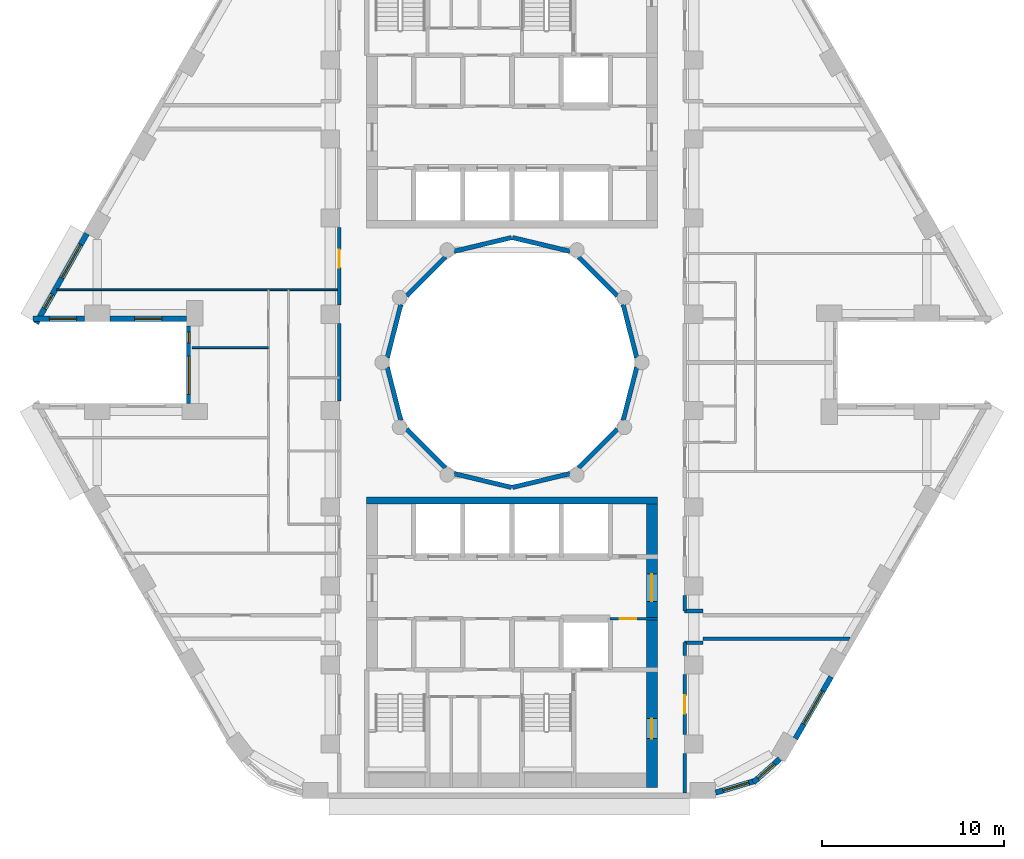
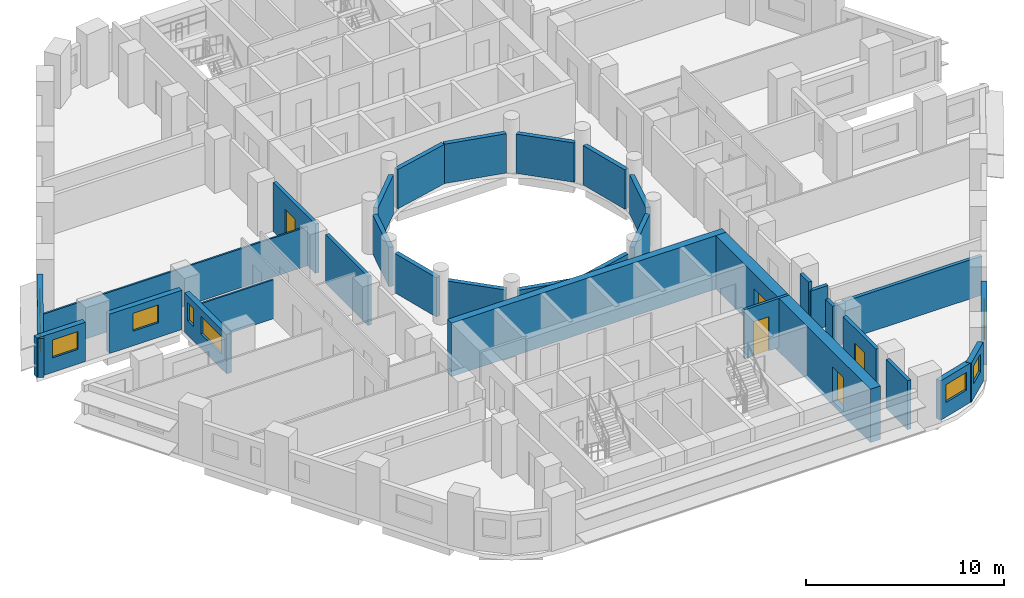
# One storey, part 5 of 12: 33 walls, 9 windows, 5 doors, 14 openings.
"""IFC4 building model written with IfcOpenShell, lengths in metres."""

from ifc_helpers import new_model, si_unit, direction, frame, frame_2d, origin, place, context, subcontext, project, spatial, rectangle, extrude, material, layer, layer_set, type_object, element, fill, save


model = new_model("IFC4")

# Units and contexts
model_context = context("Model", 3, precision=1e-05, world=origin(), true_north=direction((0.0, 1.0)))
body_context = subcontext(model_context, "Body", "Model", "MODEL_VIEW")
ifc_project = project(units=[si_unit("LENGTHUNIT", "METRE"), si_unit("AREAUNIT", "SQUARE_METRE"), si_unit("VOLUMEUNIT", "CUBIC_METRE"), si_unit("PLANEANGLEUNIT", "RADIAN"), si_unit("MASSUNIT", "GRAM", prefix="KILO")], contexts=[model_context])

# Site, building, storey
site_placement = place(None, origin())
site = spatial("IfcSite", under=ifc_project, at=site_placement, CompositionType="ELEMENT")
building_placement = place(site_placement, origin())
building = spatial("IfcBuilding", under=site, at=building_placement, Name="Nakaniwa Court", CompositionType="ELEMENT")
storey_placement = place(building_placement, frame((0.0, 0.0, 87.60009765625)))
storey = spatial("IfcBuildingStorey", under=building, at=storey_placement, Name="L22", CompositionType="ELEMENT", Elevation=87.60009765625)

# Wall
ifc_material_1 = material(Name="Acoustic double stud partition")
ifc_layer_1 = layer(ifc_material_1, 0.199951171875)
ifc_layer_set_1 = layer_set([ifc_layer_1], Name="Acoustic double stud partition")
wall_type_1 = type_object("IfcWallType", Name="Acoustic double stud partition 200", PredefinedType="PARTITIONING", material=ifc_layer_set_1)
wall_1_placement = place(storey_placement, frame((89.5, 56.300048828125, 0.0), z_axis=(0.0, 0.0, 1.0), x_axis=(0.0, 1.0, 0.0)))
element("IfcWall", 1, at=wall_1_placement, inside=storey, type_object=wall_type_1, Name="Partition PW-069", PredefinedType="PARTITIONING", context=body_context, shape_type="SweptSolid", body=[
    extrude(rectangle(XDim=2.182861328125, YDim=0.199951171875, at=frame_2d((1.09130859375, 0.0))), origin(), (0.0, 0.0, 1.0), 3.02490234375),
])

# Wall, opening, door
wall_2_placement = place(storey_placement, frame((89.5, 62.8330078125, 0.0), z_axis=(0.0, 0.0, 1.0), x_axis=(0.0, -1.0, 0.0)))
wall_2 = element("IfcWall", 2, at=wall_2_placement, inside=storey, type_object=wall_type_1, Name="Partition PW-070", PredefinedType="PARTITIONING", context=body_context, shape_type="SweptSolid", body=[
    extrude(rectangle(XDim=3.31591796875, YDim=0.199951171875, at=frame_2d((1.657958984375, 0.0))), origin(), (0.0, 0.0, 1.0), 3.02490234375),
])
opening_1_placement = place(wall_2_placement, frame((1.157958984375, 0.0, 0.0)))
opening_1 = element("IfcOpeningElement", 3, at=opening_1_placement, cuts=wall_2, Name="Opening D-02-01", PredefinedType="OPENING", context=body_context, shape_type="SweptSolid", body=[
    extrude(rectangle(XDim=1.0, YDim=2.10009765625, at=frame_2d((0.5, 1.050048828125))), frame((0.0, 0.10986328125, 0.0), z_axis=(0.0, -1.0, 0.0), x_axis=(1.0, 0.0, 0.0)), (0.0, 0.0, 1.0), 0.219970703125),
])
ifc_material_2 = material(Name="Solid core timber door set, black veneer", Category="wood")
door_type_1 = type_object("IfcDoorType", Name="Internal door 1000", OperationType="NOTDEFINED", PredefinedType="DOOR", material=ifc_material_2)
door_1_placement = place(opening_1_placement, origin())
door_1 = element("IfcDoor", 4, at=door_1_placement, inside=storey, type_object=door_type_1, Name="Door D-02-01 L22-027", OperationType="SINGLE_SWING_RIGHT", OverallHeight=2.10009765625, OverallWidth=1.0, PredefinedType="DOOR", context=body_context, shape_type="SweptSolid", body=[
    extrude(rectangle(XDim=1.0, YDim=2.10009765625, at=frame_2d((0.5, 1.050048828125))), frame((0.0, 0.02490234375, 0.0), z_axis=(0.0, -1.0, 0.0), x_axis=(1.0, 0.0, 0.0)), (0.0, 0.0, 1.0), 0.050048828125),
])
fill(opening_1, door_1)

# Walls
wall_3_placement = place(storey_placement, frame((89.5, 63.866943359375, 0.0), z_axis=(0.0, 0.0, 1.0), x_axis=(0.0, 1.0, 0.0)))
element("IfcWall", 5, at=wall_3_placement, inside=storey, type_object=wall_type_1, Name="Partition PW-071", PredefinedType="PARTITIONING", context=body_context, shape_type="SweptSolid", body=[
    extrude(rectangle(XDim=0.7109375, YDim=0.199951171875, at=frame_2d((0.35546875, 0.0))), origin(), (0.0, 0.0, 1.0), 3.02490234375),
])
wall_4_placement = place(storey_placement, frame((89.5, 66.322021484375, 0.0), z_axis=(0.0, 0.0, 1.0), x_axis=(0.0, 1.0, 0.0)))
element("IfcWall", 6, at=wall_4_placement, inside=storey, type_object=wall_type_1, Name="Partition PW-072", PredefinedType="PARTITIONING", context=body_context, shape_type="SweptSolid", body=[
    extrude(rectangle(XDim=0.861083984375, YDim=0.199951171875, at=frame_2d((0.4306640625, 0.0))), origin(), (0.0, 0.0, 1.0), 3.02490234375),
])
wall_5_placement = place(storey_placement, frame((90.5, 64.800048828125, 0.0), z_axis=(0.0, 0.0, 1.0), x_axis=(1.0, 0.0, 0.0)))
element("IfcWall", 7, at=wall_5_placement, inside=storey, type_object=wall_type_1, Name="Partition PW-088", PredefinedType="PARTITIONING", context=body_context, shape_type="SweptSolid", body=[
    extrude(rectangle(XDim=8.0908203125, YDim=0.199951171875, at=frame_2d((4.04541015625, 0.0))), origin(), (0.0, 0.0, 1.0), 2.40478515625),
])
for number, where, z_axis, x_axis, name in (
    (8, (89.5, 64.574951171875, 0.0), (0.0, 0.0, 1.0), (1.0, 0.0, 0.0), "Partition PW-090"),
    (9, (89.5, 66.324951171875, 0.0), (0.0, 0.0, 1.0), (1.0, 0.0, 0.0), "Partition PW-092"),
):
    element("IfcWall", number, at=place(storey_placement, frame(where, z_axis=z_axis, x_axis=x_axis)), inside=storey, type_object=wall_type_1, Name=name, PredefinedType="PARTITIONING", context=body_context, shape_type="SweptSolid", body=[
        extrude(rectangle(XDim=1.0, YDim=0.199951171875, at=frame_2d((0.5, 0.0))), origin(), (0.0, 0.0, 1.0), 2.5048828125),
    ])
wall_6_placement = place(storey_placement, frame((70.5, 77.866943359375, 0.0), z_axis=(0.0, 0.0, 1.0), x_axis=(0.0, 1.0, 0.0)))
element("IfcWall", 10, at=wall_6_placement, inside=storey, type_object=wall_type_1, Name="Partition PW-101", PredefinedType="PARTITIONING", context=body_context, shape_type="SweptSolid", body=[
    extrude(rectangle(XDim=4.26611328125, YDim=0.199951171875, at=frame_2d((2.133056640625, 0.0))), origin(), (0.0, 0.0, 1.0), 3.02490234375),
])

# Wall, opening, door
wall_7_placement = place(storey_placement, frame((70.5, 83.1669921875, 0.0), z_axis=(0.0, 0.0, 1.0), x_axis=(0.0, 1.0, 0.0)))
wall_7 = element("IfcWall", 11, at=wall_7_placement, inside=storey, type_object=wall_type_1, Name="Partition PW-102", PredefinedType="PARTITIONING", context=body_context, shape_type="SweptSolid", body=[
    extrude(rectangle(XDim=4.26611328125, YDim=0.199951171875, at=frame_2d((2.133056640625, 0.0))), origin(), (0.0, 0.0, 1.0), 3.02490234375),
])
opening_2_placement = place(wall_7_placement, frame((2.048095703125, 0.0, 0.0)))
opening_2 = element("IfcOpeningElement", 12, at=opening_2_placement, cuts=wall_7, Name="Opening D-02-05", PredefinedType="OPENING", context=body_context, shape_type="SweptSolid", body=[
    extrude(rectangle(XDim=1.0, YDim=2.10009765625, at=frame_2d((0.5, 1.050048828125))), frame((0.0, 0.10986328125, 0.0), z_axis=(0.0, -1.0, 0.0), x_axis=(1.0, 0.0, 0.0)), (0.0, 0.0, 1.0), 0.219970703125),
])
door_2_placement = place(opening_2_placement, origin())
door_2 = element("IfcDoor", 13, at=door_2_placement, inside=storey, type_object=door_type_1, Name="Door D-02-05 L22-047", OperationType="SINGLE_SWING_RIGHT", OverallHeight=2.10009765625, OverallWidth=1.0, PredefinedType="DOOR", context=body_context, shape_type="SweptSolid", body=[
    extrude(rectangle(XDim=1.0, YDim=2.10009765625, at=frame_2d((0.5, 1.050048828125))), frame((0.0, 0.02490234375, 0.0), z_axis=(0.0, -1.0, 0.0), x_axis=(1.0, 0.0, 0.0)), (0.0, 0.0, 1.0), 0.050048828125),
])
fill(opening_2, door_2)

# Wall, openings, windows
ifc_material_3 = material(Name="Charcoal ceramic cladding")
ifc_layer_2 = layer(ifc_material_3, 0.02, Name="Ceramic cladding")
ifc_material_4 = material(Name="Ventilated air cavity")
ifc_layer_3 = layer(ifc_material_4, 0.04, ventilated=True, Name="Ventilated cavity")
ifc_material_5 = material(Name="Mineral wool insulation")
ifc_layer_4 = layer(ifc_material_5, 0.1, Name="Insulation")
ifc_material_6 = material(Name="Cement bonded sheathing board")
ifc_layer_5 = layer(ifc_material_6, 0.012, Name="Sheathing")
ifc_material_7 = material(Name="Cold-formed galvanised stud frame with mineral wool infill")
ifc_layer_6 = layer(ifc_material_7, 0.1, Name="Stud frame")
ifc_material_8 = material(Name="Fire-rated gypsum plasterboard lining")
ifc_layer_7 = layer(ifc_material_8, 0.028, Name="Lining")
ifc_layer_set_2 = layer_set([ifc_layer_2, ifc_layer_3, ifc_layer_4, ifc_layer_5, ifc_layer_6, ifc_layer_7], Name="Charcoal ceramic faced external wall system")
wall_type_2 = type_object("IfcWallType", Name="Black ceramic faced external wall 300", PredefinedType="SOLIDWALL", material=ifc_layer_set_2)
wall_8_placement = place(storey_placement, frame((56.609375, 87.09375, 0.0), z_axis=(0.0, 0.0, 1.0), x_axis=(-0.492456858874, -0.870336855561, 0.0)))
wall_8 = element("IfcWall", 14, at=wall_8_placement, inside=storey, type_object=wall_type_2, Name="L22 external wall 14", PredefinedType="SOLIDWALL", context=body_context, shape_type="SweptSolid", body=[
    extrude(rectangle(XDim=5.676513671875, YDim=0.300048828125, at=frame_2d((2.83837890625, 0.0))), origin(), (0.0, 0.0, 1.0), 2.4248046875),
])
opening_3_placement = place(wall_8_placement, frame((0.69189453125, 0.0, 0.89990234375)))
opening_3 = element("IfcOpeningElement", 15, at=opening_3_placement, cuts=wall_8, Name="Opening W7.15", PredefinedType="OPENING", context=body_context, shape_type="SweptSolid", body=[
    extrude(rectangle(XDim=2.10009765625, YDim=1.10009765625, at=frame_2d((1.050048828125, 0.550048828125))), frame((0.0, 0.159912109375, 0.0), z_axis=(0.0, -1.0, 0.0), x_axis=(1.0, 0.0, 0.0)), (0.0, 0.0, 1.0), 0.320068359375),
])
opening_4_placement = place(wall_8_placement, frame((3.841552734375, 0.0, 0.89990234375)))
opening_4 = element("IfcOpeningElement", 16, at=opening_4_placement, cuts=wall_8, Name="Opening W9.16", PredefinedType="OPENING", context=body_context, shape_type="SweptSolid", body=[
    extrude(rectangle(XDim=0.89990234375, YDim=1.10009765625, at=frame_2d((0.449951171875, 0.550048828125))), frame((0.0, 0.159912109375, 0.0), z_axis=(0.0, -1.0, 0.0), x_axis=(1.0, 0.0, 0.0)), (0.0, 0.0, 1.0), 0.320068359375),
])
ifc_material_9 = material(Name="Black anodised aluminium frame with dark low-E laminated double glazing", Category="aluminium")
window_type_1 = type_object("IfcWindowType", Name="Dark glass window 2100x1100 sill 900", PartitioningType="SINGLE_PANEL", PredefinedType="WINDOW", material=ifc_material_9)
window_1_placement = place(opening_3_placement, origin())
window_1 = element("IfcWindow", 17, at=window_1_placement, inside=storey, type_object=window_type_1, Name="L22 habitable room window 14-0", OverallHeight=1.10009765625, OverallWidth=2.10009765625, PartitioningType="SINGLE_PANEL", PredefinedType="WINDOW", context=body_context, shape_type="SweptSolid", body=[
    extrude(rectangle(XDim=2.10009765625, YDim=1.10009765625, at=frame_2d((1.050048828125, 0.550048828125))), frame((0.0, 0.030029296875, 0.0), z_axis=(0.0, -1.0, 0.0), x_axis=(1.0, 0.0, 0.0)), (0.0, 0.0, 1.0), 0.06005859375),
])
fill(opening_3, window_1)
window_type_2 = type_object("IfcWindowType", Name="Dark glass window 900x1100 sill 900", PartitioningType="SINGLE_PANEL", PredefinedType="WINDOW", material=ifc_material_9)
window_2_placement = place(opening_4_placement, origin())
window_2 = element("IfcWindow", 18, at=window_2_placement, inside=storey, type_object=window_type_2, Name="L22 bedroom window 14-1", OverallHeight=1.10009765625, OverallWidth=0.89990234375, PartitioningType="SINGLE_PANEL", PredefinedType="WINDOW", context=body_context, shape_type="SweptSolid", body=[
    extrude(rectangle(XDim=0.89990234375, YDim=1.10009765625, at=frame_2d((0.449951171875, 0.550048828125))), frame((0.0, 0.030029296875, 0.0), z_axis=(0.0, -1.0, 0.0), x_axis=(1.0, 0.0, 0.0)), (0.0, 0.0, 1.0), 0.06005859375),
])
fill(opening_4, window_2)

# Wall, opening, window
wall_9_placement = place(storey_placement, frame((53.643310546875, 82.39990234375, 0.0), z_axis=(0.0, 0.0, 1.0), x_axis=(1.0, 0.0, 0.0)))
wall_9 = element("IfcWall", 19, at=wall_9_placement, inside=storey, type_object=wall_type_2, Name="L22 external wall 15", PredefinedType="SOLIDWALL", context=body_context, shape_type="SweptSolid", body=[
    extrude(rectangle(XDim=2.837890625, YDim=0.300048828125, at=frame_2d((1.4189453125, 0.0))), origin(), (0.0, 0.0, 1.0), 2.4248046875),
])
opening_5_placement = place(wall_9_placement, frame((0.893798828125, 0.0, 0.89990234375)))
opening_5 = element("IfcOpeningElement", 20, at=opening_5_placement, cuts=wall_9, Name="Opening W5.17", PredefinedType="OPENING", context=body_context, shape_type="SweptSolid", body=[
    extrude(rectangle(XDim=1.5, YDim=1.10009765625, at=frame_2d((0.75, 0.550048828125))), frame((0.0, 0.159912109375, 0.0), z_axis=(0.0, -1.0, 0.0), x_axis=(1.0, 0.0, 0.0)), (0.0, 0.0, 1.0), 0.320068359375),
])
window_type_3 = type_object("IfcWindowType", Name="Dark glass window 1500x1100 sill 900", PartitioningType="SINGLE_PANEL", PredefinedType="WINDOW", material=ifc_material_9)
window_3_placement = place(opening_5_placement, origin())
window_3 = element("IfcWindow", 21, at=window_3_placement, inside=storey, type_object=window_type_3, Name="L22 bedroom window 15-0", OverallHeight=1.10009765625, OverallWidth=1.5, PartitioningType="SINGLE_PANEL", PredefinedType="WINDOW", context=body_context, shape_type="SweptSolid", body=[
    extrude(rectangle(XDim=1.5, YDim=1.10009765625, at=frame_2d((0.75, 0.550048828125))), frame((0.0, 0.030029296875, 0.0), z_axis=(0.0, -1.0, 0.0), x_axis=(1.0, 0.0, 0.0)), (0.0, 0.0, 1.0), 0.06005859375),
])
fill(opening_5, window_3)

wall_10_placement = place(storey_placement, frame((57.873046875, 82.39990234375, 0.0), z_axis=(0.0, 0.0, 1.0), x_axis=(1.0, 0.0, 0.0)))
wall_10 = element("IfcWall", 22, at=wall_10_placement, inside=storey, type_object=wall_type_2, Name="L22 external wall 16", PredefinedType="SOLIDWALL", context=body_context, shape_type="SweptSolid", body=[
    extrude(rectangle(XDim=4.22265625, YDim=0.300048828125, at=frame_2d((2.111328125, 0.0))), origin(), (0.0, 0.0, 1.0), 2.4248046875),
])
opening_6_placement = place(wall_10_placement, frame((1.361328125, 0.0, 0.89990234375)))
opening_6 = element("IfcOpeningElement", 23, at=opening_6_placement, cuts=wall_10, Name="Opening W5.18", PredefinedType="OPENING", context=body_context, shape_type="SweptSolid", body=[
    extrude(rectangle(XDim=1.5, YDim=1.10009765625, at=frame_2d((0.75, 0.550048828125))), frame((0.0, 0.159912109375, 0.0), z_axis=(0.0, -1.0, 0.0), x_axis=(1.0, 0.0, 0.0)), (0.0, 0.0, 1.0), 0.320068359375),
])
window_4_placement = place(opening_6_placement, origin())
window_4 = element("IfcWindow", 24, at=window_4_placement, inside=storey, type_object=window_type_3, Name="L22 bedroom window 16-0", OverallHeight=1.10009765625, OverallWidth=1.5, PartitioningType="SINGLE_PANEL", PredefinedType="WINDOW", context=body_context, shape_type="SweptSolid", body=[
    extrude(rectangle(XDim=1.5, YDim=1.10009765625, at=frame_2d((0.75, 0.550048828125))), frame((0.0, 0.030029296875, 0.0), z_axis=(0.0, -1.0, 0.0), x_axis=(1.0, 0.0, 0.0)), (0.0, 0.0, 1.0), 0.06005859375),
])
fill(opening_6, window_4)

# Wall, openings, windows
wall_11_placement = place(storey_placement, frame((62.24169921875, 82.00390625, 0.0), z_axis=(0.0, 0.0, 1.0), x_axis=(0.0, -1.0, 0.0)))
wall_11 = element("IfcWall", 25, at=wall_11_placement, inside=storey, type_object=wall_type_2, Name="L22 external wall 17", PredefinedType="SOLIDWALL", context=body_context, shape_type="SweptSolid", body=[
    extrude(rectangle(XDim=4.2578125, YDim=0.300048828125, at=frame_2d((2.12890625, 0.0))), origin(), (0.0, 0.0, 1.0), 2.4248046875),
])
opening_7_placement = place(wall_11_placement, frame((0.318603515625, 0.0, 0.89990234375)))
opening_7 = element("IfcOpeningElement", 26, at=opening_7_placement, cuts=wall_11, Name="Opening W8.19", PredefinedType="OPENING", context=body_context, shape_type="SweptSolid", body=[
    extrude(rectangle(XDim=0.60009765625, YDim=1.10009765625, at=frame_2d((0.300048828125, 0.550048828125))), frame((0.0, 0.159912109375, 0.0), z_axis=(0.0, -1.0, 0.0), x_axis=(1.0, 0.0, 0.0)), (0.0, 0.0, 1.0), 0.320068359375),
])
opening_8_placement = place(wall_11_placement, frame((1.660400390625, 0.0, 0.89990234375)))
opening_8 = element("IfcOpeningElement", 27, at=opening_8_placement, cuts=wall_11, Name="Opening W7.20", PredefinedType="OPENING", context=body_context, shape_type="SweptSolid", body=[
    extrude(rectangle(XDim=2.10009765625, YDim=1.10009765625, at=frame_2d((1.050048828125, 0.550048828125))), frame((0.0, 0.159912109375, 0.0), z_axis=(0.0, -1.0, 0.0), x_axis=(1.0, 0.0, 0.0)), (0.0, 0.0, 1.0), 0.320068359375),
])
window_5_placement = place(opening_8_placement, origin())
window_5 = element("IfcWindow", 28, at=window_5_placement, inside=storey, type_object=window_type_1, Name="L22 living window 17-1", OverallHeight=1.10009765625, OverallWidth=2.10009765625, PartitioningType="SINGLE_PANEL", PredefinedType="WINDOW", context=body_context, shape_type="SweptSolid", body=[
    extrude(rectangle(XDim=2.10009765625, YDim=1.10009765625, at=frame_2d((1.050048828125, 0.550048828125))), frame((0.0, 0.030029296875, 0.0), z_axis=(0.0, -1.0, 0.0), x_axis=(1.0, 0.0, 0.0)), (0.0, 0.0, 1.0), 0.06005859375),
])
fill(opening_8, window_5)
window_type_4 = type_object("IfcWindowType", Name="Dark glass window 600x1100 sill 900", PartitioningType="SINGLE_PANEL", PredefinedType="WINDOW", material=ifc_material_9)
window_6_placement = place(opening_7_placement, origin())
window_6 = element("IfcWindow", 29, at=window_6_placement, inside=storey, type_object=window_type_4, Name="L22 bedroom window 17-0", OverallHeight=1.10009765625, OverallWidth=0.60009765625, PartitioningType="SINGLE_PANEL", PredefinedType="WINDOW", context=body_context, shape_type="SweptSolid", body=[
    extrude(rectangle(XDim=0.60009765625, YDim=1.10009765625, at=frame_2d((0.300048828125, 0.550048828125))), frame((0.0, 0.030029296875, 0.0), z_axis=(0.0, -1.0, 0.0), x_axis=(1.0, 0.0, 0.0)), (0.0, 0.0, 1.0), 0.06005859375),
])
fill(opening_7, window_6)

# Wall, opening, window
wall_12_placement = place(storey_placement, frame((91.203369140625, 56.329833984375, 0.0), z_axis=(0.0, 0.0, 1.0), x_axis=(0.95847736903, 0.285168604614, 0.0)))
wall_12 = element("IfcWall", 30, at=wall_12_placement, inside=storey, type_object=wall_type_2, Name="L22 external wall 27", PredefinedType="SOLIDWALL", context=body_context, shape_type="SweptSolid", body=[
    extrude(rectangle(XDim=2.261962890625, YDim=0.300048828125, at=frame_2d((1.130859375, 0.0))), origin(), (0.0, 0.0, 1.0), 2.4248046875),
])
opening_9_placement = place(wall_12_placement, frame((0.418701171875, 0.0, 0.89990234375)))
opening_9 = element("IfcOpeningElement", 31, at=opening_9_placement, cuts=wall_12, Name="Opening W5.31", PredefinedType="OPENING", context=body_context, shape_type="SweptSolid", body=[
    extrude(rectangle(XDim=1.5, YDim=1.10009765625, at=frame_2d((0.75, 0.550048828125))), frame((0.0, 0.159912109375, 0.0), z_axis=(0.0, -1.0, 0.0), x_axis=(1.0, 0.0, 0.0)), (0.0, 0.0, 1.0), 0.320068359375),
])
window_7_placement = place(opening_9_placement, origin())
window_7 = element("IfcWindow", 32, at=window_7_placement, inside=storey, type_object=window_type_3, Name="L22 habitable room window 27-0", OverallHeight=1.10009765625, OverallWidth=1.5, PartitioningType="SINGLE_PANEL", PredefinedType="WINDOW", context=body_context, shape_type="SweptSolid", body=[
    extrude(rectangle(XDim=1.5, YDim=1.10009765625, at=frame_2d((0.75, 0.550048828125))), frame((0.0, 0.030029296875, 0.0), z_axis=(0.0, -1.0, 0.0), x_axis=(1.0, 0.0, 0.0)), (0.0, 0.0, 1.0), 0.06005859375),
])
fill(opening_9, window_7)

wall_13_placement = place(storey_placement, frame((93.283447265625, 56.88671875, 0.0), z_axis=(0.0, 0.0, 1.0), x_axis=(0.743785734967, 0.668418117992, 0.0)))
wall_13 = element("IfcWall", 33, at=wall_13_placement, inside=storey, type_object=wall_type_2, Name="L22 external wall 28", PredefinedType="SOLIDWALL", context=body_context, shape_type="SweptSolid", body=[
    extrude(rectangle(XDim=1.9501953125, YDim=0.300048828125, at=frame_2d((0.97509765625, 0.0))), origin(), (0.0, 0.0, 1.0), 2.4248046875),
])
opening_10_placement = place(wall_13_placement, frame((0.334716796875, 0.0, 0.89990234375)))
opening_10 = element("IfcOpeningElement", 34, at=opening_10_placement, cuts=wall_13, Name="Opening W6.32", PredefinedType="OPENING", context=body_context, shape_type="SweptSolid", body=[
    extrude(rectangle(XDim=1.199951171875, YDim=1.10009765625, at=frame_2d((0.60009765625, 0.550048828125))), frame((0.0, 0.159912109375, 0.0), z_axis=(0.0, -1.0, 0.0), x_axis=(1.0, 0.0, 0.0)), (0.0, 0.0, 1.0), 0.320068359375),
])
window_type_5 = type_object("IfcWindowType", Name="Dark glass window 1200x1100 sill 900", PartitioningType="SINGLE_PANEL", PredefinedType="WINDOW", material=ifc_material_9)
window_8_placement = place(opening_10_placement, origin())
window_8 = element("IfcWindow", 35, at=window_8_placement, inside=storey, type_object=window_type_5, Name="L22 habitable room window 28-0", OverallHeight=1.10009765625, OverallWidth=1.199951171875, PartitioningType="SINGLE_PANEL", PredefinedType="WINDOW", context=body_context, shape_type="SweptSolid", body=[
    extrude(rectangle(XDim=1.199951171875, YDim=1.10009765625, at=frame_2d((0.60009765625, 0.550048828125))), frame((0.0, 0.030029296875, 0.0), z_axis=(0.0, -1.0, 0.0), x_axis=(1.0, 0.0, 0.0)), (0.0, 0.0, 1.0), 0.06005859375),
])
fill(opening_10, window_8)

wall_14_placement = place(storey_placement, frame((95.59033203125, 59.30322265625, 0.0), z_axis=(0.0, 0.0, 1.0), x_axis=(0.500003583557, 0.866023334807, 0.0)))
wall_14 = element("IfcWall", 36, at=wall_14_placement, inside=storey, type_object=wall_type_2, Name="L22 external wall 29", PredefinedType="SOLIDWALL", context=body_context, shape_type="SweptSolid", body=[
    extrude(rectangle(XDim=3.93408203125, YDim=0.300048828125, at=frame_2d((1.967041015625, 0.0))), origin(), (0.0, 0.0, 1.0), 2.4248046875),
])
opening_11_placement = place(wall_14_placement, frame((0.9169921875, 0.0, 0.89990234375)))
opening_11 = element("IfcOpeningElement", 37, at=opening_11_placement, cuts=wall_14, Name="Opening W7.33", PredefinedType="OPENING", context=body_context, shape_type="SweptSolid", body=[
    extrude(rectangle(XDim=2.10009765625, YDim=1.10009765625, at=frame_2d((1.050048828125, 0.550048828125))), frame((0.0, 0.159912109375, 0.0), z_axis=(0.0, -1.0, 0.0), x_axis=(1.0, 0.0, 0.0)), (0.0, 0.0, 1.0), 0.320068359375),
])
window_9_placement = place(opening_11_placement, origin())
window_9 = element("IfcWindow", 38, at=window_9_placement, inside=storey, type_object=window_type_1, Name="L22 habitable room window 29-0", OverallHeight=1.10009765625, OverallWidth=2.10009765625, PartitioningType="SINGLE_PANEL", PredefinedType="WINDOW", context=body_context, shape_type="SweptSolid", body=[
    extrude(rectangle(XDim=2.10009765625, YDim=1.10009765625, at=frame_2d((1.050048828125, 0.550048828125))), frame((0.0, 0.030029296875, 0.0), z_axis=(0.0, -1.0, 0.0), x_axis=(1.0, 0.0, 0.0)), (0.0, 0.0, 1.0), 0.06005859375),
])
fill(opening_11, window_9)

# Wall, opening, door
ifc_material_10 = material(Name="Blockwork partition", Category="masonry")
ifc_layer_8 = layer(ifc_material_10, 0.14990234375)
ifc_layer_set_3 = layer_set([ifc_layer_8], Name="Blockwork partition")
wall_type_3 = type_object("IfcWallType", Name="Blockwork partition 150", PredefinedType="PARTITIONING", material=ifc_layer_set_3)
wall_15_placement = place(storey_placement, frame((88.0, 65.89990234375, 0.0), z_axis=(0.0, 0.0, 1.0), x_axis=(-1.0, 0.0, 0.0)))
wall_15 = element("IfcWall", 39, at=wall_15_placement, inside=storey, type_object=wall_type_3, Name="Partition PW-052", PredefinedType="PARTITIONING", context=body_context, shape_type="SweptSolid", body=[
    extrude(rectangle(XDim=2.60302734375, YDim=0.14990234375, at=frame_2d((1.301513671875, 0.0))), origin(), (0.0, 0.0, 1.0), 3.02490234375),
])
opening_12_placement = place(wall_15_placement, frame((1.175048828125, 0.0, 0.0)))
opening_12 = element("IfcOpeningElement", 40, at=opening_12_placement, cuts=wall_15, Name="Opening D-05-13", PredefinedType="OPENING", context=body_context, shape_type="SweptSolid", body=[
    extrude(rectangle(XDim=0.89990234375, YDim=2.10009765625, at=frame_2d((0.449951171875, 1.050048828125))), frame((0.0, 0.0849609375, 0.0), z_axis=(0.0, -1.0, 0.0), x_axis=(1.0, 0.0, 0.0)), (0.0, 0.0, 1.0), 0.169921875),
])
ifc_material_11 = material(Name="Fire rated steel door set", Category="steel")
door_type_2 = type_object("IfcDoorType", Name="Service room door 900", OperationType="NOTDEFINED", PredefinedType="DOOR", material=ifc_material_11)
door_3_placement = place(opening_12_placement, origin())
door_3 = element("IfcDoor", 41, at=door_3_placement, inside=storey, type_object=door_type_2, Name="Door D-05-13 L22-020", OperationType="SINGLE_SWING_LEFT", OverallHeight=2.10009765625, OverallWidth=0.89990234375, PredefinedType="DOOR", context=body_context, shape_type="SweptSolid", body=[
    extrude(rectangle(XDim=0.89990234375, YDim=2.10009765625, at=frame_2d((0.449951171875, 1.050048828125))), frame((0.0, 0.02490234375, 0.0), z_axis=(0.0, -1.0, 0.0), x_axis=(1.0, 0.0, 0.0)), (0.0, 0.0, 1.0), 0.050048828125),
])
fill(opening_12, door_3)

# Walls
ifc_layer_9 = layer(ifc_material_3, 0.02, Name="Ceramic cladding")
ifc_layer_10 = layer(ifc_material_4, 0.04, ventilated=True, Name="Ventilated cavity")
ifc_layer_11 = layer(ifc_material_5, 0.075, Name="Insulation")
ifc_layer_12 = layer(ifc_material_6, 0.012, Name="Sheathing")
ifc_layer_13 = layer(ifc_material_7, 0.075, Name="Stud frame")
ifc_layer_14 = layer(ifc_material_8, 0.028, Name="Lining")
ifc_layer_set_4 = layer_set([ifc_layer_9, ifc_layer_10, ifc_layer_11, ifc_layer_12, ifc_layer_13, ifc_layer_14], Name="Charcoal ceramic faced external wall system")
wall_type_4 = type_object("IfcWallType", Name="Charcoal ceramic faced well wall 250", PredefinedType="SOLIDWALL", material=ifc_layer_set_4)
wall_16_placement = place(storey_placement, frame((86.8603515625, 79.72998046875, 0.0), z_axis=(0.0, 0.0, 1.0), x_axis=(-0.247055971283, -0.969001211069, 0.0)))
element("IfcWall", 42, at=wall_16_placement, inside=storey, type_object=wall_type_4, Name="L22 external wall 36", PredefinedType="SOLIDWALL", context=body_context, shape_type="SweptSolid", body=[
    extrude(rectangle(XDim=3.010009765625, YDim=0.25, at=frame_2d((1.5048828125, 0.0))), origin(), (0.0, 0.0, 1.0), 2.4248046875),
])
wall_17_placement = place(storey_placement, frame((85.8056640625, 76.339111328125, 0.0), z_axis=(0.0, 0.0, 1.0), x_axis=(-0.707106781187, -0.707106781187, 0.0)))
element("IfcWall", 43, at=wall_17_placement, inside=storey, type_object=wall_type_4, Name="L22 external wall 37", PredefinedType="SOLIDWALL", context=body_context, shape_type="SweptSolid", body=[
    extrude(rectangle(XDim=3.033203125, YDim=0.25, at=frame_2d((1.5166015625, 0.0))), origin(), (0.0, 0.0, 1.0), 2.4248046875),
])
for number, where, z_axis, x_axis, name in (
    (44, (83.186279296875, 73.880615234375, 0.0), (0.0, 0.0, 1.0), (-0.972773113459, -0.231759508395, 0.0), "L22 external wall 38"),
    (45, (79.970947265625, 73.12841796875, 0.0), (0.0, 0.0, 1.0), (-0.972773113459, 0.231759508395, 0.0), "L22 external wall 39"),
):
    element("IfcWall", number, at=place(storey_placement, frame(where, z_axis=z_axis, x_axis=x_axis)), inside=storey, type_object=wall_type_4, Name=name, PredefinedType="SOLIDWALL", context=body_context, shape_type="SweptSolid", body=[
        extrude(rectangle(XDim=3.24560546875, YDim=0.25, at=frame_2d((1.622802734375, 0.0))), origin(), (0.0, 0.0, 1.0), 2.4248046875),
    ])
wall_18_placement = place(storey_placement, frame((76.339111328125, 74.1943359375, 0.0), z_axis=(0.0, 0.0, 1.0), x_axis=(-0.707106781187, 0.707106781187, 0.0)))
element("IfcWall", 46, at=wall_18_placement, inside=storey, type_object=wall_type_4, Name="L22 external wall 40", PredefinedType="SOLIDWALL", context=body_context, shape_type="SweptSolid", body=[
    extrude(rectangle(XDim=3.033203125, YDim=0.25, at=frame_2d((1.5166015625, 0.0))), origin(), (0.0, 0.0, 1.0), 2.4248046875),
])
for number, where, z_axis, x_axis, name in (
    (47, (73.88330078125, 76.813232421875, 0.0), (0.0, 0.0, 1.0), (-0.247055971283, 0.969001211069, 0.0), "L22 external wall 41"),
    (48, (73.1396484375, 80.27001953125, 0.0), (0.0, 0.0, 1.0), (0.247055971283, 0.969001211069, 0.0), "L22 external wall 42"),
):
    element("IfcWall", number, at=place(storey_placement, frame(where, z_axis=z_axis, x_axis=x_axis)), inside=storey, type_object=wall_type_4, Name=name, PredefinedType="SOLIDWALL", context=body_context, shape_type="SweptSolid", body=[
        extrude(rectangle(XDim=3.010009765625, YDim=0.25, at=frame_2d((1.5048828125, 0.0))), origin(), (0.0, 0.0, 1.0), 2.4248046875),
    ])
wall_19_placement = place(storey_placement, frame((74.1943359375, 83.660888671875, 0.0), z_axis=(0.0, 0.0, 1.0), x_axis=(0.707106781187, 0.707106781187, 0.0)))
element("IfcWall", 49, at=wall_19_placement, inside=storey, type_object=wall_type_4, Name="L22 external wall 43", PredefinedType="SOLIDWALL", context=body_context, shape_type="SweptSolid", body=[
    extrude(rectangle(XDim=3.033203125, YDim=0.25, at=frame_2d((1.5166015625, 0.0))), origin(), (0.0, 0.0, 1.0), 2.4248046875),
])
for number, where, z_axis, x_axis, name in (
    (50, (76.813720703125, 86.119384765625, 0.0), (0.0, 0.0, 1.0), (0.972773113459, 0.231759508395, 0.0), "L22 external wall 44"),
    (51, (80.029052734375, 86.87158203125, 0.0), (0.0, 0.0, 1.0), (0.972773113459, -0.231759508395, 0.0), "L22 external wall 45"),
):
    element("IfcWall", number, at=place(storey_placement, frame(where, z_axis=z_axis, x_axis=x_axis)), inside=storey, type_object=wall_type_4, Name=name, PredefinedType="SOLIDWALL", context=body_context, shape_type="SweptSolid", body=[
        extrude(rectangle(XDim=3.24560546875, YDim=0.25, at=frame_2d((1.622802734375, 0.0))), origin(), (0.0, 0.0, 1.0), 2.4248046875),
    ])
wall_20_placement = place(storey_placement, frame((83.660888671875, 85.8056640625, 0.0), z_axis=(0.0, 0.0, 1.0), x_axis=(0.707106781187, -0.707106781187, 0.0)))
element("IfcWall", 52, at=wall_20_placement, inside=storey, type_object=wall_type_4, Name="L22 external wall 46", PredefinedType="SOLIDWALL", context=body_context, shape_type="SweptSolid", body=[
    extrude(rectangle(XDim=3.033203125, YDim=0.25, at=frame_2d((1.5166015625, 0.0))), origin(), (0.0, 0.0, 1.0), 2.4248046875),
])
wall_21_placement = place(storey_placement, frame((86.11669921875, 83.186767578125, 0.0), z_axis=(0.0, 0.0, 1.0), x_axis=(0.247055971283, -0.969001211069, 0.0)))
element("IfcWall", 53, at=wall_21_placement, inside=storey, type_object=wall_type_4, Name="L22 external wall 47", PredefinedType="SOLIDWALL", context=body_context, shape_type="SweptSolid", body=[
    extrude(rectangle(XDim=3.010009765625, YDim=0.25, at=frame_2d((1.5048828125, 0.0))), origin(), (0.0, 0.0, 1.0), 2.4248046875),
])

# Wall, openings, doors
ifc_material_12 = material(Name="Concrete C80/100", Category="concrete")
ifc_layer_15 = layer(ifc_material_12, 0.60009765625)
ifc_layer_set_5 = layer_set([ifc_layer_15], Name="Concrete C80/100")
wall_type_5 = type_object("IfcWallType", Name="Concrete core side wall 600 C80", PredefinedType="SHEAR", material=ifc_layer_set_5)
wall_22_placement = place(storey_placement, frame((87.699951171875, 72.199951171875, -0.275146484375), z_axis=(0.0, 0.0, 1.0), x_axis=(0.0, -1.0, 0.0)))
wall_22 = element("IfcWall", 54, at=wall_22_placement, inside=storey, type_object=wall_type_5, Name="Core wall SW-49", PredefinedType="SHEAR", context=body_context, shape_type="SweptSolid", body=[
    extrude(rectangle(XDim=15.599853515625, YDim=0.60009765625, at=frame_2d((7.7998046875, 0.0))), origin(), (0.0, 0.0, 1.0), 3.300048828125),
])
opening_13_placement = place(wall_22_placement, frame((3.85009765625, 0.0, 0.27490234375)))
opening_13 = element("IfcOpeningElement", 55, at=opening_13_placement, cuts=wall_22, Name="Opening D-07-03", PredefinedType="OPENING", context=body_context, shape_type="SweptSolid", body=[
    extrude(rectangle(XDim=1.5, YDim=2.10009765625, at=frame_2d((0.75, 1.050048828125))), frame((0.0, 0.31005859375, 0.0), z_axis=(0.0, -1.0, 0.0), x_axis=(1.0, 0.0, 0.0)), (0.0, 0.0, 1.0), 0.6201171875),
])
opening_14_placement = place(wall_22_placement, frame((11.800048828125, 0.0, 0.27490234375)))
opening_14 = element("IfcOpeningElement", 56, at=opening_14_placement, cuts=wall_22, Name="Opening D-10-02", PredefinedType="OPENING", context=body_context, shape_type="SweptSolid", body=[
    extrude(rectangle(XDim=1.10009765625, YDim=2.10009765625, at=frame_2d((0.550048828125, 1.050048828125))), frame((0.0, 0.31005859375, 0.0), z_axis=(0.0, -1.0, 0.0), x_axis=(1.0, 0.0, 0.0)), (0.0, 0.0, 1.0), 0.6201171875),
])
door_type_3 = type_object("IfcDoorType", Name="Firefighting lobby door 1100", OperationType="NOTDEFINED", PredefinedType="DOOR", material=ifc_material_11)
door_4_placement = place(opening_14_placement, origin())
door_4 = element("IfcDoor", 57, at=door_4_placement, inside=storey, type_object=door_type_3, Name="Door D-10-02 L22-056", OperationType="SINGLE_SWING_LEFT", OverallHeight=2.10009765625, OverallWidth=1.10009765625, PredefinedType="DOOR", context=body_context, shape_type="SweptSolid", body=[
    extrude(rectangle(XDim=1.10009765625, YDim=2.10009765625, at=frame_2d((0.550048828125, 1.050048828125))), frame((0.0, 0.02490234375, 0.0), z_axis=(0.0, -1.0, 0.0), x_axis=(1.0, 0.0, 0.0)), (0.0, 0.0, 1.0), 0.050048828125),
])
fill(opening_14, door_4)
ifc_material_13 = material(Name="Glazed fire rated steel double door set", Category="steel")
door_type_4 = type_object("IfcDoorType", Name="Lobby double door 1500", OperationType="NOTDEFINED", PredefinedType="DOOR", material=ifc_material_13)
door_5_placement = place(opening_13_placement, origin())
door_5 = element("IfcDoor", 58, at=door_5_placement, inside=storey, type_object=door_type_4, Name="Door D-07-03 L22-054", OperationType="DOUBLE_DOOR_SINGLE_SWING", OverallHeight=2.10009765625, OverallWidth=1.5, PredefinedType="DOOR", context=body_context, shape_type="SweptSolid", body=[
    extrude(rectangle(XDim=1.5, YDim=2.10009765625, at=frame_2d((0.75, 1.050048828125))), frame((0.0, 0.02490234375, 0.0), z_axis=(0.0, -1.0, 0.0), x_axis=(1.0, 0.0, 0.0)), (0.0, 0.0, 1.0), 0.050048828125),
])
fill(opening_13, door_5)

# Walls
ifc_layer_16 = layer(ifc_material_12, 0.39990234375)
ifc_layer_set_6 = layer_set([ifc_layer_16], Name="Concrete C80/100")
wall_type_6 = type_object("IfcWallType", Name="Concrete core well wall 400 C80", PredefinedType="SHEAR", material=ifc_layer_set_6)
wall_23_placement = place(storey_placement, frame((72.00390625, 72.39990234375, -0.275146484375), z_axis=(0.0, 0.0, 1.0), x_axis=(1.0, 0.0, 0.0)))
element("IfcWall", 59, at=wall_23_placement, inside=storey, type_object=wall_type_6, Name="Core wall SW-128", PredefinedType="SHEAR", context=body_context, shape_type="SweptSolid", body=[
    extrude(rectangle(XDim=15.9921875, YDim=0.39990234375, at=frame_2d((7.99609375, 0.0))), origin(), (0.0, 0.0, 1.0), 3.300048828125),
])
ifc_material_14 = material(Name="Single stud plasterboard partition")
ifc_layer_17 = layer(ifc_material_14, 0.10009765625)
ifc_layer_set_7 = layer_set([ifc_layer_17], Name="Single stud plasterboard partition")
wall_type_7 = type_object("IfcWallType", Name="Single stud plasterboard partition 100", PredefinedType="PARTITIONING", material=ifc_layer_set_7)
wall_24_placement = place(storey_placement, frame((54.943115234375, 84.0, 0.0), z_axis=(0.0, 0.0, 1.0), x_axis=(1.0, 0.0, 0.0)))
element("IfcWall", 60, at=wall_24_placement, inside=storey, type_object=wall_type_7, Name="Partition PW-120", PredefinedType="PARTITIONING", context=body_context, shape_type="SweptSolid", body=[
    extrude(rectangle(XDim=15.556884765625, YDim=0.10009765625, at=frame_2d((7.7783203125, 0.0))), origin(), (0.0, 0.0, 1.0), 2.40478515625),
])
wall_25_placement = place(storey_placement, frame((62.3916015625, 80.81689453125, 0.0), z_axis=(0.0, 0.0, 1.0), x_axis=(1.0, 0.0, 0.0)))
element("IfcWall", 61, at=wall_25_placement, inside=storey, type_object=wall_type_7, Name="Partition PW-125", PredefinedType="PARTITIONING", context=body_context, shape_type="SweptSolid", body=[
    extrude(rectangle(XDim=4.20849609375, YDim=0.10009765625, at=frame_2d((2.104248046875, 0.0))), origin(), (0.0, 0.0, 1.0), 2.40478515625),
])

save(model, "model.ifc")
